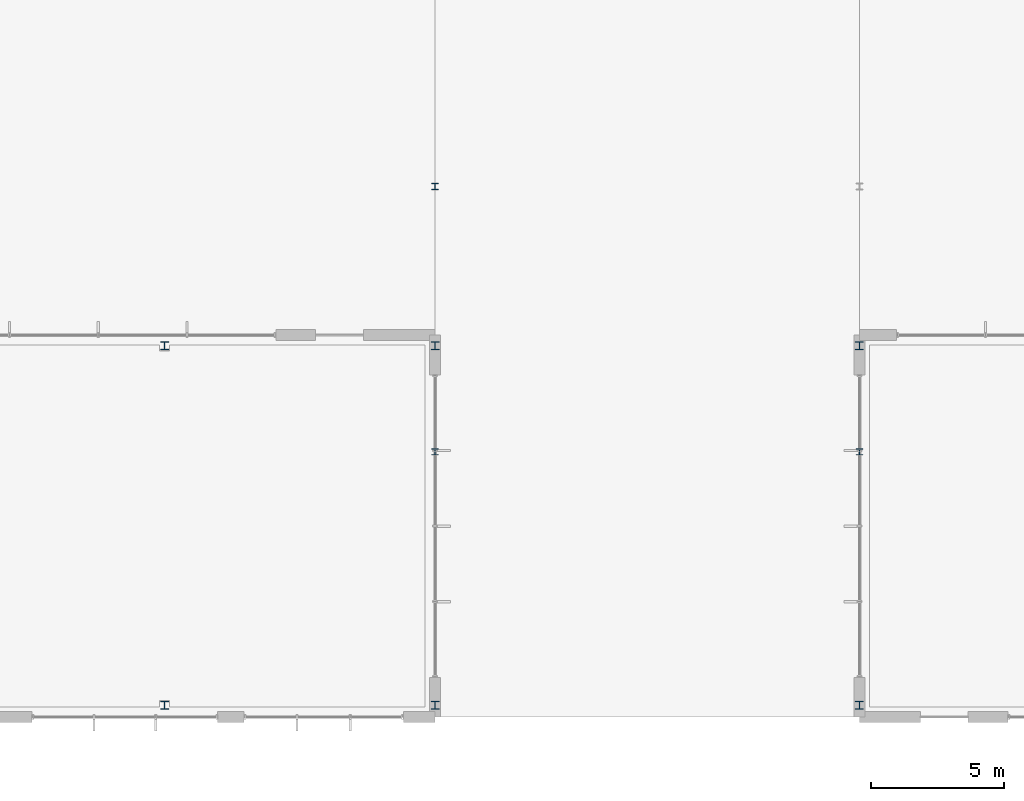
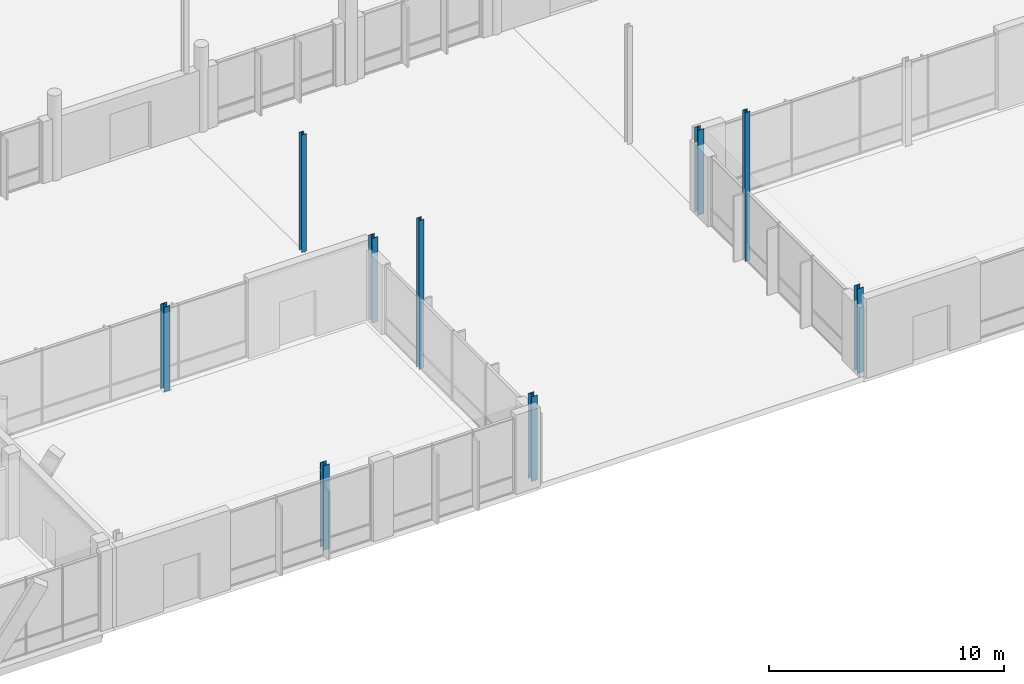
# One storey, part 4 of 233: 9 columns.
"""IFC4 building model written with IfcOpenShell, lengths in metres."""

from ifc_helpers import new_model, si_unit, direction, frame, origin, origin_2d, place, context, subcontext, project, spatial, i_section, extrude, material, material_profile, profile_set, type_object, element, save


model = new_model("IFC4")

# Units and contexts
model_context = context("Model", 3, precision=1e-05, world=origin(), true_north=direction((0.0, 1.0)))
body_context = subcontext(model_context, "Body", "Model", "MODEL_VIEW")
ifc_project = project(units=[si_unit("LENGTHUNIT", "METRE"), si_unit("AREAUNIT", "SQUARE_METRE"), si_unit("VOLUMEUNIT", "CUBIC_METRE"), si_unit("PLANEANGLEUNIT", "RADIAN"), si_unit("MASSUNIT", "GRAM", prefix="KILO")], contexts=[model_context])

# Site, building, storey
site_placement = place(None, origin())
site = spatial("IfcSite", under=ifc_project, at=site_placement, CompositionType="ELEMENT")
building_placement = place(site_placement, origin())
building = spatial("IfcBuilding", under=site, at=building_placement, Name="Zavelmont Quarter", CompositionType="ELEMENT")
storey_placement = place(building_placement, origin())
storey = spatial("IfcBuildingStorey", under=building, at=storey_placement, Name="L00", CompositionType="ELEMENT", Elevation=0.0)

# Columns
ifc_material = material(Name="Steel S355", Category="steel")
ifc_material_profile_1 = material_profile(ifc_material, i_section(OverallWidth=0.300048828125, OverallDepth=0.300048828125, WebThickness=0.010986328125, FlangeThickness=0.01904296875, at=origin_2d()), Name="HEB 300")
ifc_profile_set_1 = profile_set([ifc_material_profile_1], Name="Steel S355")
column_type_1 = type_object("IfcColumnType", Name="CL10", PredefinedType="COLUMN", material=ifc_profile_set_1)
for number, where, z_axis, x_axis, name in (
    (1, (65.800048828125, 0.43994140625, 0.0), (0.0, 0.0, 1.0), (1.0, 0.0, 0.0), "L00 column CL10 at 10/A"),
    (2, (65.800048828125, 14.0, 0.0), (0.0, 0.0, 1.0), (1.0, 0.0, 0.0), "L00 column CL10 at 10/C"),
    (3, (76.0, 0.43994140625, 0.0), (0.0, 0.0, 1.0), (1.0, 0.0, 0.0), "L00 column CL10 at 12/A"),
    (4, (76.0, 14.0, 0.0), (0.0, 0.0, 1.0), (1.0, 0.0, 0.0), "L00 column CL10 at 12/C"),
    (5, (92.0, 0.43994140625, 0.0), (0.0, 0.0, 1.0), (1.0, 0.0, 0.0), "L00 column CL10 at 14/A"),
    (6, (92.0, 14.0, 0.0), (0.0, 0.0, 1.0), (1.0, 0.0, 0.0), "L00 column CL10 at 14/C"),
):
    element("IfcColumn", number, at=place(storey_placement, frame(where, z_axis=z_axis, x_axis=x_axis)), inside=storey, type_object=column_type_1, Name=name, PredefinedType="COLUMN", context=body_context, shape_type="SweptSolid", body=[
        extrude(i_section(OverallWidth=0.300048828125, OverallDepth=0.300048828125, WebThickness=0.010986328125, FlangeThickness=0.01904296875, at=origin_2d()), origin(), (0.0, 0.0, 1.0), 4.39990234375),
    ])
ifc_material_profile_2 = material_profile(ifc_material, i_section(OverallWidth=0.239990234375, OverallDepth=0.239990234375, WebThickness=0.010009765625, FlangeThickness=0.01708984375, at=origin_2d()), Name="HEB 240")
ifc_profile_set_2 = profile_set([ifc_material_profile_2], Name="Steel S355")
column_type_2 = type_object("IfcColumnType", Name="CL11", PredefinedType="COLUMN", material=ifc_profile_set_2)
for number, where, z_axis, x_axis, name in (
    (7, (76.0, 10.0, 0.0), (0.0, 0.0, 1.0), (1.0, 0.0, 0.0), "L00 column CL11 at 12/C"),
    (8, (92.0, 10.0, 0.0), (0.0, 0.0, 1.0), (1.0, 0.0, 0.0), "L00 column CL11 at 14/C"),
):
    element("IfcColumn", number, at=place(storey_placement, frame(where, z_axis=z_axis, x_axis=x_axis)), inside=storey, type_object=column_type_2, Name=name, PredefinedType="COLUMN", context=body_context, shape_type="SweptSolid", body=[
        extrude(i_section(OverallWidth=0.239990234375, OverallDepth=0.239990234375, WebThickness=0.010009765625, FlangeThickness=0.01708984375, at=origin_2d()), origin(), (0.0, 0.0, 1.0), 7.719970703125),
    ])
column_placement = place(storey_placement, frame((76.0, 20.0, 0.0), z_axis=(0.0, 0.0, 1.0), x_axis=(1.0, 0.0, 0.0)))
element("IfcColumn", 9, at=column_placement, inside=storey, type_object=column_type_2, Name="L00 column CL11 at 12/D", PredefinedType="COLUMN", context=body_context, shape_type="SweptSolid", body=[
    extrude(i_section(OverallWidth=0.239990234375, OverallDepth=0.239990234375, WebThickness=0.010009765625, FlangeThickness=0.01708984375, at=origin_2d()), origin(), (0.0, 0.0, 1.0), 6.10009765625),
])

save(model, "model.ifc")
